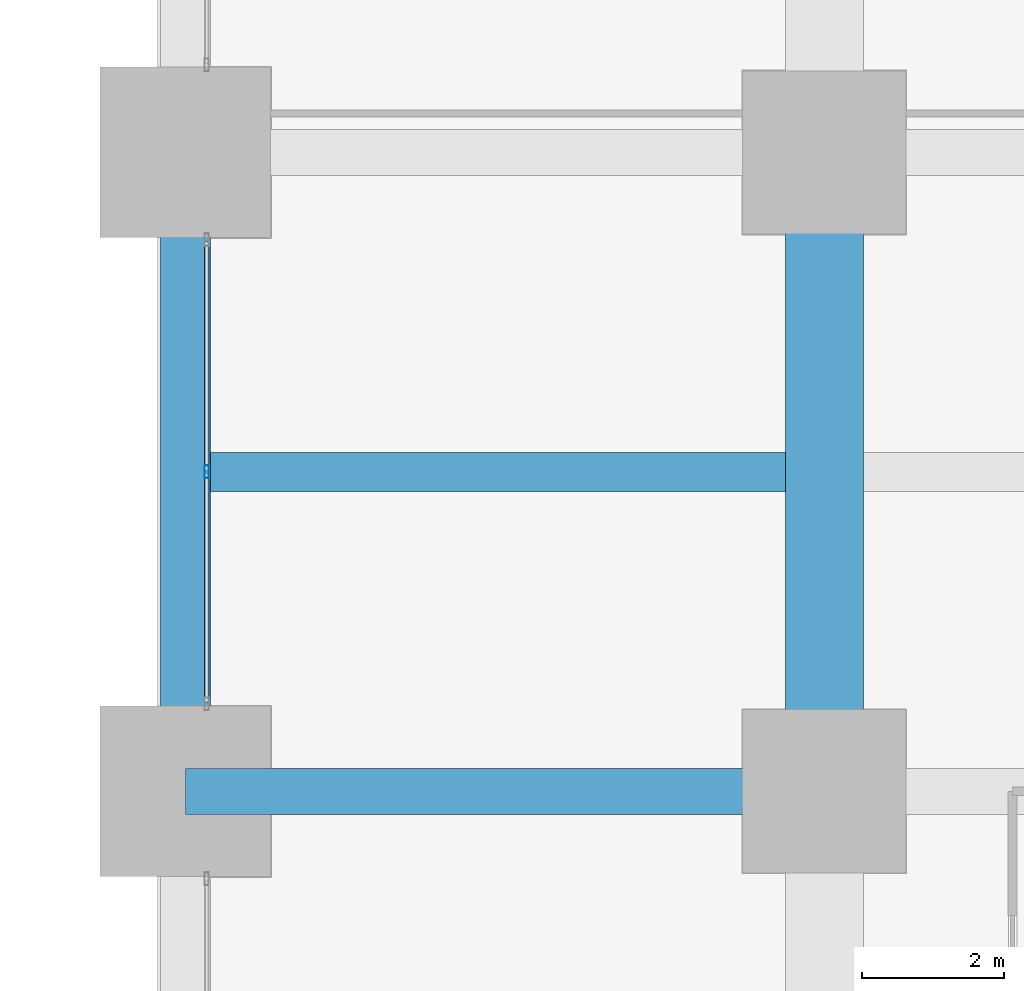
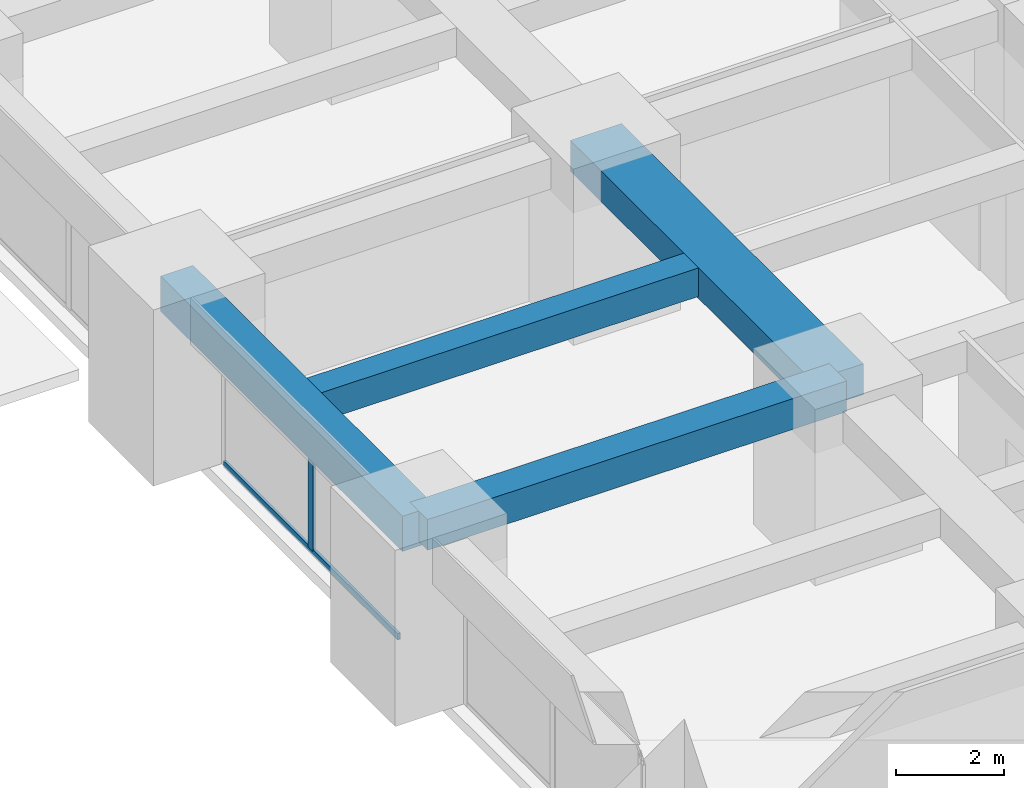
# One storey, part 8 of 39: 4 beams, 2 members, 1 element without a shape of its own.
"""IFC4 building model written with IfcOpenShell, lengths in metres."""

from ifc_helpers import new_model, si_unit, direction, frame, origin, origin_2d, place, context, subcontext, project, spatial, rectangle, hollow_rectangle, extrude, material, material_profile, profile_set, type_object, element, aggregate, save


model = new_model("IFC4")

# Units and contexts
model_context = context("Model", 3, precision=1e-05, world=origin(), true_north=direction((0.0, 1.0)))
body_context = subcontext(model_context, "Body", "Model", "MODEL_VIEW")
ifc_project = project(units=[si_unit("LENGTHUNIT", "METRE"), si_unit("AREAUNIT", "SQUARE_METRE"), si_unit("VOLUMEUNIT", "CUBIC_METRE"), si_unit("PLANEANGLEUNIT", "RADIAN"), si_unit("MASSUNIT", "GRAM", prefix="KILO")], contexts=[model_context])

# Site, building, storey
site_placement = place(None, origin())
site = spatial("IfcSite", under=ifc_project, at=site_placement, CompositionType="ELEMENT")
building_placement = place(site_placement, origin())
building = spatial("IfcBuilding", under=site, at=building_placement, Name="Zorevar Civic Tower", CompositionType="ELEMENT")
storey_placement = place(building_placement, frame((0.0, 0.0, 19.800048828125)))
storey = spatial("IfcBuildingStorey", under=building, at=storey_placement, Name="L04", CompositionType="ELEMENT", Elevation=19.800048828125)

# Beams
ifc_material_1 = material(Name="Concrete C50/60", Category="concrete")
ifc_material_profile_1 = material_profile(ifc_material_1, rectangle(XDim=1.10009765625, YDim=0.699951171875, at=origin_2d()), Name="RC 1100x700")
ifc_profile_set_1 = profile_set([ifc_material_profile_1], Name="Concrete C50/60")
beam_type_1 = type_object("IfcBeamType", Name="Beam RC 1100x700", PredefinedType="BEAM", material=ifc_profile_set_1)
beam_1_placement = place(storey_placement, frame((9.0, 27.0, 3.39990234375), z_axis=(0.0, 1.0, 0.0), x_axis=(-1.0, 0.0, 0.0)))
element("IfcBeam", 1, at=beam_1_placement, inside=storey, type_object=beam_type_1, Name="Girder L05", PredefinedType="BEAM", context=body_context, shape_type="SweptSolid", body=[
    extrude(rectangle(XDim=1.10009765625, YDim=0.699951171875, at=origin_2d()), origin(), (0.0, 0.0, 1.0), 9.0),
])
ifc_material_2 = material(Name="Concrete C50/60", Category="concrete")
ifc_material_profile_2 = material_profile(ifc_material_2, rectangle(XDim=0.550048828125, YDim=0.64990234375, at=origin_2d()), Name="RC 550x650")
ifc_profile_set_2 = profile_set([ifc_material_profile_2], Name="Concrete C50/60")
beam_type_2 = type_object("IfcBeamType", Name="Beam RC 550x650", PredefinedType="BEAM", material=ifc_profile_set_2)
beam_2_placement = place(storey_placement, frame((0.35009765625, 31.5, 3.425048828125), z_axis=(1.0, 0.0, 0.0), x_axis=(0.0, 1.0, 0.0)))
element("IfcBeam", 2, at=beam_2_placement, inside=storey, type_object=beam_type_2, Name="Secondary beam L05", PredefinedType="BEAM", context=body_context, shape_type="SweptSolid", body=[
    extrude(rectangle(XDim=0.550048828125, YDim=0.64990234375, at=origin_2d()), origin(), (0.0, 0.0, 1.0), 8.099853515625),
])
ifc_material_3 = material(Name="Concrete C50/60", Category="concrete")
ifc_material_profile_3 = material_profile(ifc_material_3, rectangle(XDim=0.64990234375, YDim=0.699951171875, at=origin_2d()), Name="RC 650x700")
ifc_profile_set_3 = profile_set([ifc_material_profile_3], Name="Concrete C50/60")
beam_type_3 = type_object("IfcBeamType", Name="Beam RC 650x700", PredefinedType="BEAM", material=ifc_profile_set_3)
beam_3_placement = place(storey_placement, frame((0.0, 27.0, 3.39990234375), z_axis=(1.0, 0.0, 0.0), x_axis=(0.0, 1.0, 0.0)))
element("IfcBeam", 3, at=beam_3_placement, inside=storey, type_object=beam_type_3, Name="Girder L05", PredefinedType="BEAM", context=body_context, shape_type="SweptSolid", body=[
    extrude(rectangle(XDim=0.64990234375, YDim=0.699951171875, at=origin_2d()), origin(), (0.0, 0.0, 1.0), 9.0),
])

# Curtain wall, members
ifc_material_4 = material(Name="Dark grey solar-control glass in black aluminium frame", Category="aluminium")
curtain_wall_type = type_object("IfcCurtainWallType", Name="Curtain wall CW2 low zone", PredefinedType="NOTDEFINED", material=ifc_material_4)
curtain_wall_placement = place(storey_placement, origin())
curtain_wall = element("IfcCurtainWall", 4, at=curtain_wall_placement, inside=storey, type_object=curtain_wall_type, Name="CW2 L04", PredefinedType="NOTDEFINED")
ifc_material_5 = material(Name="Aluminium, black anodised", Category="aluminium")
ifc_material_profile_4 = material_profile(ifc_material_5, hollow_rectangle(XDim=0.06005859375, YDim=0.179931640625, WallThickness=0.00390625, at=origin_2d()), Name="AL 180x60x4")
ifc_profile_set_4 = profile_set([ifc_material_profile_4], Name="Aluminium, black anodised")
member_type_1 = type_object("IfcMemberType", Name="CW2 mullion AL 180x60x4", PredefinedType="MULLION", material=ifc_profile_set_4)
member_1_placement = place(storey_placement, frame((0.300048828125, 31.5, 0.06005859375), z_axis=(0.0, 0.0, 1.0), x_axis=(-1.0, 0.0, 0.0)))
member_1 = element("IfcMember", 5, at=member_1_placement, type_object=member_type_1, Name="CW2 mullion 2", PredefinedType="MULLION", context=body_context, shape_type="SweptSolid", body=[
    extrude(hollow_rectangle(XDim=0.06005859375, YDim=0.179931640625, WallThickness=0.00390625, at=origin_2d()), origin(), (0.0, 0.0, 1.0), 2.889892578125),
])
ifc_material_6 = material(Name="Aluminium, black anodised", Category="aluminium")
ifc_material_profile_5 = material_profile(ifc_material_6, hollow_rectangle(XDim=0.06005859375, YDim=0.14990234375, WallThickness=0.00390625, at=origin_2d()), Name="AL 150x60x4")
ifc_profile_set_5 = profile_set([ifc_material_profile_5], Name="Aluminium, black anodised")
member_type_2 = type_object("IfcMemberType", Name="CW2 transom AL 150x60x4", PredefinedType="USERDEFINED", material=ifc_profile_set_5)
member_2_placement = place(storey_placement, frame((0.300048828125, 28.260009765625, 0.030029296875), z_axis=(0.0, 1.0, 0.0), x_axis=(-1.0, 0.0, 0.0)))
member_2 = element("IfcMember", 6, at=member_2_placement, type_object=member_type_2, Name="CW2 sill transom", ObjectType="TRANSOM", PredefinedType="USERDEFINED", context=body_context, shape_type="SweptSolid", body=[
    extrude(hollow_rectangle(XDim=0.06005859375, YDim=0.14990234375, WallThickness=0.00390625, at=origin_2d()), origin(), (0.0, 0.0, 1.0), 6.47998046875),
])
aggregate(curtain_wall, [member_1, member_2])

# Beam
ifc_material_7 = material(Name="Concrete C50/60", Category="concrete")
ifc_material_profile_6 = material_profile(ifc_material_7, rectangle(XDim=0.699951171875, YDim=0.800048828125, at=origin_2d()), Name="RC 700x800")
ifc_profile_set_6 = profile_set([ifc_material_profile_6], Name="Concrete C50/60")
beam_type_4 = type_object("IfcBeamType", Name="Edge beam RC 700x800", PredefinedType="SPANDREL", material=ifc_profile_set_6)
beam_4_placement = place(storey_placement, frame((0.0, 27.0, 3.349853515625), z_axis=(0.0, 1.0, 0.0), x_axis=(-1.0, 0.0, 0.0)))
element("IfcBeam", 7, at=beam_4_placement, inside=storey, type_object=beam_type_4, Name="Edge beam L05", PredefinedType="SPANDREL", context=body_context, shape_type="SweptSolid", body=[
    extrude(rectangle(XDim=0.699951171875, YDim=0.800048828125, at=origin_2d()), origin(), (0.0, 0.0, 1.0), 9.0),
])

save(model, "model.ifc")
